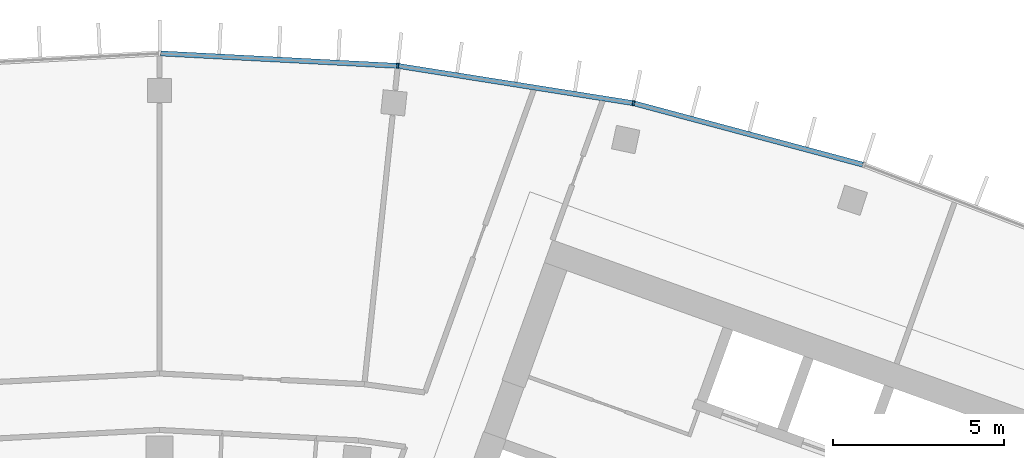
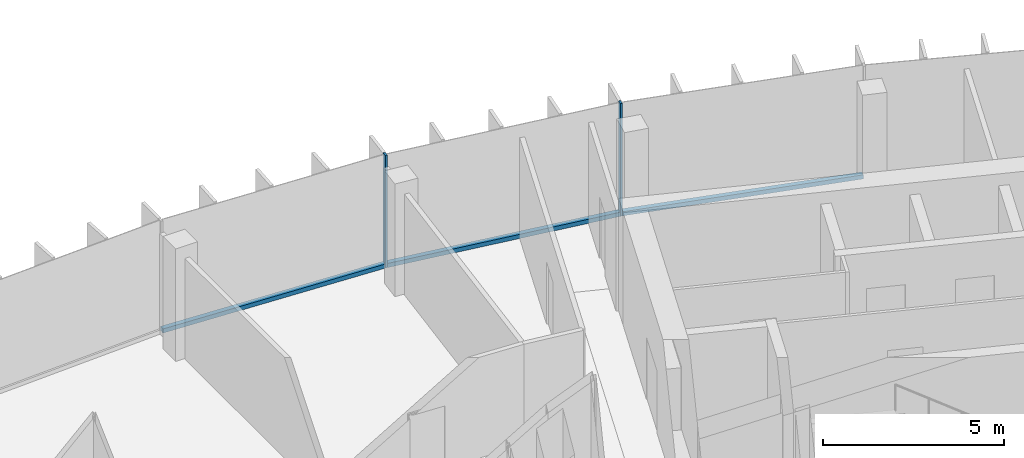
# One storey, part 7 of 19: 5 members, 1 element without a shape of its own.
"""IFC4 building model written with IfcOpenShell, lengths in metres."""

from ifc_helpers import new_model, si_unit, direction, frame, origin, origin_2d, place, context, subcontext, project, spatial, rectangle, extrude, material, layer, layer_set, material_profile, profile_set, type_object, element, aggregate, save


model = new_model("IFC4")

# Units and contexts
model_context = context("Model", 3, precision=1e-05, world=origin(), true_north=direction((0.0, 1.0)))
body_context = subcontext(model_context, "Body", "Model", "MODEL_VIEW")
ifc_project = project(units=[si_unit("LENGTHUNIT", "METRE"), si_unit("AREAUNIT", "SQUARE_METRE"), si_unit("VOLUMEUNIT", "CUBIC_METRE"), si_unit("PLANEANGLEUNIT", "RADIAN"), si_unit("MASSUNIT", "GRAM", prefix="KILO")], contexts=[model_context])

# Site, building, storey
site_placement = place(None, origin())
site = spatial("IfcSite", under=ifc_project, at=site_placement, CompositionType="ELEMENT")
building_placement = place(site_placement, origin())
building = spatial("IfcBuilding", under=site, at=building_placement, Name="Stone Belt Terrace Tower", CompositionType="ELEMENT")
storey_placement = place(building_placement, frame((0.0, 0.0, 303.60009765625)))
storey = spatial("IfcBuildingStorey", under=building, at=storey_placement, Name="L74", CompositionType="ELEMENT", Elevation=303.60009765625)

# Curtain wall, members
ifc_material = material(Name="Aluminium 6063-T6 anodised frame", Category="aluminium")
ifc_layer = layer(ifc_material, 0.14990234375)
ifc_layer_set = layer_set([ifc_layer], Name="CW-A unitised convex-face curtain wall")
curtain_wall_type = type_object("IfcCurtainWallType", Name="CW-A unitised convex-face curtain wall", PredefinedType="NOTDEFINED", material=ifc_layer_set)
curtain_wall_placement = place(storey_placement, origin())
curtain_wall = element("IfcCurtainWall", 1, at=curtain_wall_placement, inside=storey, type_object=curtain_wall_type, Name="CW-A convex face L74", PredefinedType="NOTDEFINED")
ifc_material_profile_1 = material_profile(ifc_material, rectangle(XDim=0.14990234375, YDim=0.06005859375, at=origin_2d()), Name="Aluminium 6063-T6 60x150")
ifc_profile_set_1 = profile_set([ifc_material_profile_1], Name="Aluminium 6063-T6 anodised frame")
member_type_1 = type_object("IfcMemberType", Name="CW-A mullion 60 x 150", PredefinedType="MULLION", material=ifc_profile_set_1)
member_1_placement = place(storey_placement, frame((13.841796875, 65.120361328125, 0.0), z_axis=(0.0, 0.0, 1.0), x_axis=(-0.207911690818, -0.978147600734, 0.0)))
member_1 = element("IfcMember", 2, at=member_1_placement, type_object=member_type_1, Name="CW-A mullion 6", PredefinedType="MULLION", context=body_context, shape_type="SweptSolid", body=[
    extrude(rectangle(XDim=0.14990234375, YDim=0.06005859375, at=origin_2d()), origin(), (0.0, 0.0, 1.0), 3.7998046875),
])
member_2_placement = place(storey_placement, frame((6.958984375, 66.21044921875, 0.0), z_axis=(0.0, 0.0, 1.0), x_axis=(-0.104528463268, -0.994521895368, 0.0)))
member_2 = element("IfcMember", 3, at=member_2_placement, type_object=member_type_1, Name="CW-A mullion 7", PredefinedType="MULLION", context=body_context, shape_type="SweptSolid", body=[
    extrude(rectangle(XDim=0.14990234375, YDim=0.06005859375, at=origin_2d()), origin(), (0.0, 0.0, 1.0), 3.7998046875),
])
ifc_material_profile_2 = material_profile(ifc_material, rectangle(XDim=0.14990234375, YDim=0.139892578125, at=origin_2d()), Name="Aluminium 6063-T6 150x140")
ifc_profile_set_2 = profile_set([ifc_material_profile_2], Name="Aluminium 6063-T6 anodised frame")
member_type_2 = type_object("IfcMemberType", Name="CW-A transom 140 x 150", PredefinedType="USERDEFINED", material=ifc_profile_set_2)
member_3_placement = place(storey_placement, frame((20.5400390625, 63.325439453125, 0.06982421875), z_axis=(-0.965921835863, 0.258833937117, 0.0), x_axis=(-0.258833937117, -0.965921835863, 0.0)))
member_3 = element("IfcMember", 4, at=member_3_placement, type_object=member_type_2, Name="CW-A transom 5.1", ObjectType="TRANSOM", PredefinedType="USERDEFINED", context=body_context, shape_type="SweptSolid", body=[
    extrude(rectangle(XDim=0.14990234375, YDim=0.139892578125, at=origin_2d()), origin(), (0.0, 0.0, 1.0), 6.900634765625),
])
member_4_placement = place(storey_placement, frame((13.808349609375, 65.12548828125, 0.06982421875), z_axis=(-0.987687120531, 0.156442168027, 0.0), x_axis=(-0.156442168027, -0.987687120531, 0.0)))
member_4 = element("IfcMember", 5, at=member_4_placement, type_object=member_type_2, Name="CW-A transom 6.1", ObjectType="TRANSOM", PredefinedType="USERDEFINED", context=body_context, shape_type="SweptSolid", body=[
    extrude(rectangle(XDim=0.14990234375, YDim=0.139892578125, at=origin_2d()), origin(), (0.0, 0.0, 1.0), 6.90087890625),
])
member_5_placement = place(storey_placement, frame((6.925048828125, 66.212158203125, 0.06982421875), z_axis=(-0.998630019135, 0.052326712899, 0.0), x_axis=(-0.052326712899, -0.998630019135, 0.0)))
member_5 = element("IfcMember", 6, at=member_5_placement, type_object=member_type_2, Name="CW-A transom 7.1", ObjectType="TRANSOM", PredefinedType="USERDEFINED", context=body_context, shape_type="SweptSolid", body=[
    extrude(rectangle(XDim=0.14990234375, YDim=0.139892578125, at=origin_2d()), origin(), (0.0, 0.0, 1.0), 6.900634765625),
])
aggregate(curtain_wall, [member_1, member_2, member_3, member_4, member_5])

save(model, "model.ifc")
